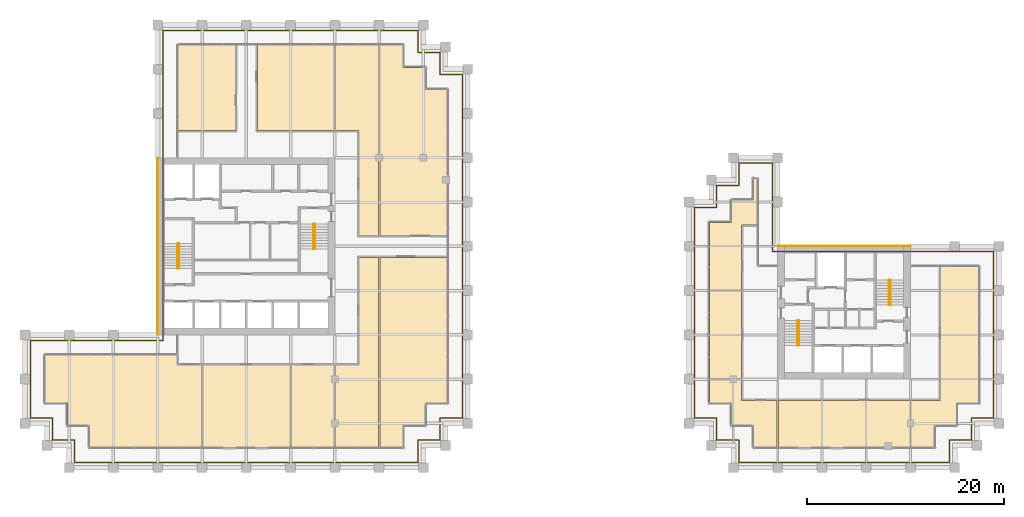
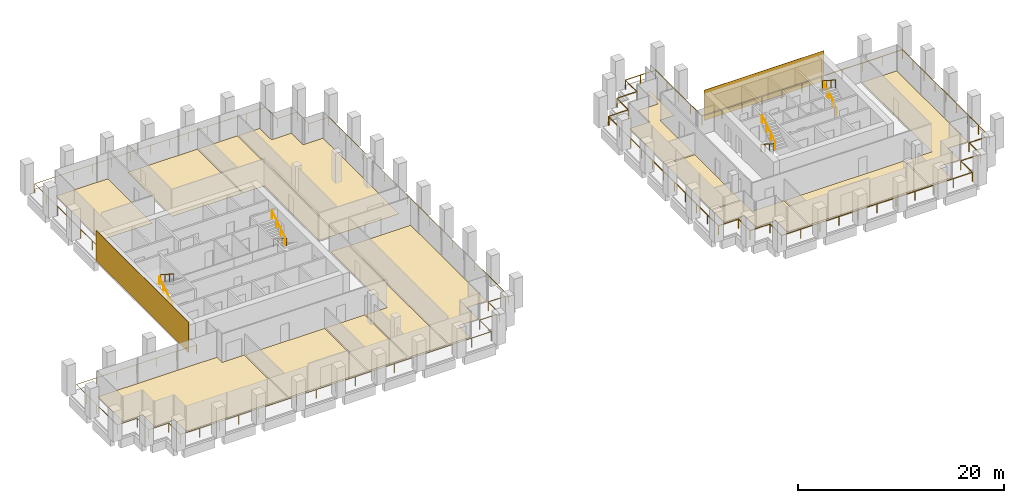
# One storey, part 45 of 45: 16 coverings, 10 railings.
"""IFC4 building model written with IfcOpenShell, lengths in metres."""

from ifc_helpers import new_model, si_unit, direction, frame, origin, origin_2d, place, context, subcontext, project, spatial, polyline, rectangle, circle, outline, extrude, source, transform, mapped, material, layer, layer_set, type_object, element, save


model = new_model("IFC4")

# Units and contexts
model_context = context("Model", 3, precision=1e-05, world=origin(), true_north=direction((0.0, 1.0)))
body_context = subcontext(model_context, "Body", "Model", "MODEL_VIEW")
ifc_project = project(units=[si_unit("LENGTHUNIT", "METRE"), si_unit("AREAUNIT", "SQUARE_METRE"), si_unit("VOLUMEUNIT", "CUBIC_METRE"), si_unit("PLANEANGLEUNIT", "RADIAN"), si_unit("MASSUNIT", "GRAM", prefix="KILO")], contexts=[model_context])

# Site, building, storey
site_placement = place(None, origin())
site = spatial("IfcSite", under=ifc_project, at=site_placement, CompositionType="ELEMENT")
building_placement = place(site_placement, origin())
building = spatial("IfcBuilding", under=site, at=building_placement, Name="Altepetl Exchange Towers", CompositionType="ELEMENT")
storey_placement = place(building_placement, frame((0.0, 0.0, 110.0)))
storey = spatial("IfcBuildingStorey", under=building, at=storey_placement, Name="L27", CompositionType="ELEMENT", Elevation=110.0)

# Coverings
ifc_material_1 = material(Name="Carpet tile")
ifc_layer_1 = layer(ifc_material_1, 0.02001953125)
ifc_layer_set_1 = layer_set([ifc_layer_1], Name="Carpet tile")
covering_type_1 = type_object("IfcCoveringType", Name="Carpet tile floor", PredefinedType="FLOORING", material=ifc_layer_set_1)
covering_1_placement = place(storey_placement, origin())
element("IfcCovering", 1, at=covering_1_placement, inside=storey, type_object=covering_type_1, Name="Training room floor finish A27.01", PredefinedType="FLOORING", context=body_context, shape_type="SweptSolid", body=[
    extrude(outline(polyline([(53.9375, 29.0625), (53.9375, 37.4375), (45.0625, 37.4375), (45.0625, 29.0625), (53.9375, 29.0625)])), origin(), (0.0, 0.0, 1.0), 0.02001953125),
])
covering_2_placement = place(storey_placement, origin())
element("IfcCovering", 2, at=covering_2_placement, inside=storey, type_object=covering_type_1, Name="Open office floor finish A27.03", PredefinedType="FLOORING", context=body_context, shape_type="SweptSolid", body=[
    extrude(outline(polyline([(33.5625, 29.0625), (44.9375, 29.0625), (44.9375, 37.4375), (42.4375, 37.4375), (42.4375, 38.4375), (29.0625, 38.4375), (29.0625, 33.5625), (31.3125, 33.5625), (31.3125, 31.3125), (33.5625, 31.3125), (33.5625, 29.0625)])), origin(), (0.0, 0.0, 1.0), 0.02001953125),
])
covering_3_placement = place(storey_placement, origin())
element("IfcCovering", 3, at=covering_3_placement, inside=storey, type_object=covering_type_1, Name="Research office floor finish A27.05", PredefinedType="FLOORING", context=body_context, shape_type="SweptSolid", body=[
    extrude(outline(polyline([(67.6875, 33.5625), (69.9375, 33.5625), (69.9375, 48.387451171875), (63.0625, 48.387451171875), (63.0625, 29.0625), (65.4375, 29.0625), (65.4375, 31.3125), (67.6875, 31.3125), (67.6875, 33.5625)])), origin(), (0.0, 0.0, 1.0), 0.02001953125),
])
covering_4_placement = place(storey_placement, origin())
element("IfcCovering", 4, at=covering_4_placement, inside=storey, type_object=covering_type_1, Name="Huddle room floor finish A27.07", PredefinedType="FLOORING", context=body_context, shape_type="SweptSolid", body=[
    extrude(outline(polyline([(62.9375, 50.612548828125), (62.9375, 69.9375), (58.5625, 69.9375), (58.5625, 61.262451171875), (60.96240234375, 61.262451171875), (60.96240234375, 50.612548828125), (62.9375, 50.612548828125)])), origin(), (0.0, 0.0, 1.0), 0.02001953125),
])
covering_5_placement = place(storey_placement, origin())
element("IfcCovering", 5, at=covering_5_placement, inside=storey, type_object=covering_type_1, Name="Pantry floor finish A27.08", PredefinedType="FLOORING", context=body_context, shape_type="SweptSolid", body=[
    extrude(outline(polyline([(42.5625, 61.262451171875), (48.387451171875, 61.262451171875), (48.387451171875, 69.9375), (42.5625, 69.9375), (42.5625, 61.262451171875)])), origin(), (0.0, 0.0, 1.0), 0.02001953125),
])
covering_6_placement = place(storey_placement, origin())
element("IfcCovering", 6, at=covering_6_placement, inside=storey, type_object=covering_type_1, Name="Meeting room floor finish A27.09", PredefinedType="FLOORING", context=body_context, shape_type="SweptSolid", body=[
    extrude(outline(polyline([(58.4375, 61.262451171875), (58.4375, 69.9375), (50.612548828125, 69.9375), (50.612548828125, 61.262451171875), (58.4375, 61.262451171875)])), origin(), (0.0, 0.0, 1.0), 0.02001953125),
])
covering_7_placement = place(storey_placement, origin())
element("IfcCovering", 7, at=covering_7_placement, inside=storey, type_object=covering_type_1, Name="Huddle room floor finish B27.01", PredefinedType="FLOORING", context=body_context, shape_type="SweptSolid", body=[
    extrude(outline(polyline([(99.83740234375, 44.9375), (96.5625, 44.9375), (96.5625, 36.0625), (99.83740234375, 36.0625), (99.83740234375, 44.9375)])), origin(), (0.0, 0.0, 1.0), 0.02001953125),
])
covering_8_placement = place(storey_placement, origin())
element("IfcCovering", 8, at=covering_8_placement, inside=storey, type_object=covering_type_1, Name="Research office floor finish B27.04", PredefinedType="FLOORING", context=body_context, shape_type="SweptSolid", body=[
    extrude(outline(polyline([(117.0625, 33.83740234375), (117.0625, 29.0625), (119.4375, 29.0625), (119.4375, 31.3125), (121.6875, 31.3125), (121.6875, 33.5625), (123.9375, 33.5625), (123.9375, 47.4375), (120.0625, 47.4375), (120.0625, 33.83740234375), (117.0625, 33.83740234375)])), origin(), (0.0, 0.0, 1.0), 0.02001953125),
])
covering_9_placement = place(storey_placement, origin())
element("IfcCovering", 9, at=covering_9_placement, inside=storey, type_object=covering_type_1, Name="Interview room floor finish B27.05", PredefinedType="FLOORING", context=body_context, shape_type="SweptSolid", body=[
    extrude(outline(polyline([(101.0625, 54.1875), (98.8125, 54.1875), (98.8125, 51.9375), (96.5625, 51.9375), (96.5625, 45.0625), (99.83740234375, 45.0625), (99.83740234375, 51.66259765625), (101.4375, 51.66259765625), (101.4375, 56.4375), (101.0625, 56.4375), (101.0625, 54.1875)])), origin(), (0.0, 0.0, 1.0), 0.02001953125),
])
ifc_material_2 = material(Name="Cantera stone", Category="masonry")
ifc_layer_2 = layer(ifc_material_2, 0.030029296875)
ifc_layer_set_2 = layer_set([ifc_layer_2], Name="Cantera stone")
covering_type_2 = type_object("IfcCoveringType", Name="Polished stone floor", PredefinedType="FLOORING", material=ifc_layer_set_2)
covering_10_placement = place(storey_placement, origin())
element("IfcCovering", 10, at=covering_10_placement, inside=storey, type_object=covering_type_2, Name="Cafe floor finish A27.06", PredefinedType="FLOORING", context=body_context, shape_type="SweptSolid", body=[
    extrude(outline(polyline([(67.6875, 67.6875), (65.4375, 67.6875), (65.4375, 69.9375), (63.0625, 69.9375), (63.0625, 50.612548828125), (69.9375, 50.612548828125), (69.9375, 65.4375), (67.6875, 65.4375), (67.6875, 67.6875)])), origin(), (0.0, 0.0, 1.0), 0.030029296875),
])
covering_11_placement = place(storey_placement, origin())
element("IfcCovering", 11, at=covering_11_placement, inside=storey, type_object=covering_type_2, Name="Library floor finish B27.03", PredefinedType="FLOORING", context=body_context, shape_type="SweptSolid", body=[
    extrude(outline(polyline([(103.5625, 33.83740234375), (103.5625, 29.0625), (116.9375, 29.0625), (116.9375, 33.83740234375), (103.5625, 33.83740234375)])), origin(), (0.0, 0.0, 1.0), 0.030029296875),
])
ifc_material_3 = material(Name="Calcium sulphate access floor panel")
ifc_layer_3 = layer(ifc_material_3, 0.0400390625)
ifc_layer_set_3 = layer_set([ifc_layer_3], Name="Calcium sulphate access floor panel")
covering_type_3 = type_object("IfcCoveringType", Name="Raised access floor panels", PredefinedType="FLOORING", material=ifc_layer_set_3)
covering_12_placement = place(storey_placement, origin())
element("IfcCovering", 12, at=covering_12_placement, inside=storey, type_object=covering_type_3, Name="Data room floor finish A27.02", PredefinedType="FLOORING", context=body_context, shape_type="SweptSolid", body=[
    extrude(outline(polyline([(58.4375, 29.0625), (58.4375, 37.4375), (54.0625, 37.4375), (54.0625, 29.0625), (58.4375, 29.0625)])), origin(), (0.0, 0.0, 1.0), 0.0400390625),
])
covering_13_placement = place(storey_placement, origin())
element("IfcCovering", 13, at=covering_13_placement, inside=storey, type_object=covering_type_3, Name="Data room floor finish A27.04", PredefinedType="FLOORING", context=body_context, shape_type="SweptSolid", body=[
    extrude(outline(polyline([(62.9375, 29.0625), (62.9375, 48.387451171875), (60.96240234375, 48.387451171875), (60.96240234375, 37.4375), (58.5625, 37.4375), (58.5625, 29.0625), (62.9375, 29.0625)])), origin(), (0.0, 0.0, 1.0), 0.0400390625),
])
covering_14_placement = place(storey_placement, origin())
element("IfcCovering", 14, at=covering_14_placement, inside=storey, type_object=covering_type_3, Name="Data room floor finish B27.02", PredefinedType="FLOORING", context=body_context, shape_type="SweptSolid", body=[
    extrude(outline(polyline([(99.83740234375, 35.9375), (96.5625, 35.9375), (96.5625, 33.5625), (98.8125, 33.5625), (98.8125, 31.3125), (101.0625, 31.3125), (101.0625, 29.0625), (103.4375, 29.0625), (103.4375, 33.83740234375), (99.83740234375, 33.83740234375), (99.83740234375, 35.9375)])), origin(), (0.0, 0.0, 1.0), 0.0400390625),
])
ifc_material_4 = material(Name="Cantera limestone cladding", Category="masonry")
ifc_layer_4 = layer(ifc_material_4, 0.0400390625)
ifc_layer_set_4 = layer_set([ifc_layer_4], Name="Cantera limestone cladding")
covering_type_4 = type_object("IfcCoveringType", Name="Stone panel 40 cantera", PredefinedType="CLADDING", material=ifc_layer_set_4)
covering_15_placement = place(storey_placement, frame((40.47998046875, 49.5, 0.0), z_axis=(0.0, 0.0, 1.0), x_axis=(0.0, -1.0, 0.0)))
element("IfcCovering", 15, at=covering_15_placement, inside=storey, type_object=covering_type_4, Name="Stone cladding panel", PredefinedType="CLADDING", context=body_context, shape_type="SweptSolid", body=[
    extrude(rectangle(XDim=18.0, YDim=0.0400390625, at=origin_2d()), origin(), (0.0, 0.0, 1.0), 3.60009765625),
])
covering_16_placement = place(storey_placement, frame((110.25, 49.52001953125, 0.0), z_axis=(0.0, 0.0, 1.0), x_axis=(-1.0, 0.0, 0.0)))
element("IfcCovering", 16, at=covering_16_placement, inside=storey, type_object=covering_type_4, Name="Stone cladding panel", PredefinedType="CLADDING", context=body_context, shape_type="SweptSolid", body=[
    extrude(rectangle(XDim=13.5, YDim=0.0400390625, at=origin_2d()), origin(), (0.0, 0.0, 1.0), 3.60009765625),
])

# Railings
ifc_material_5 = material(Name="Steel S355", Category="steel")
railing_type_1 = type_object("IfcRailingType", Name="Guard 1100 steel posts and rail", PredefinedType="GUARDRAIL", material=ifc_material_5)
shared_shape_1 = source(origin(), body_context, "Body", "SweptSolid", [
    extrude(circle(Radius=0.02099609375, at=origin_2d()), origin(), (0.0, 0.0, 1.0), 1.052001953125),
])
railing_1_placement = place(storey_placement, frame((41.050048828125, 39.949951171875, 0.0)))
element("IfcRailing", 17, at=railing_1_placement, inside=storey, type_object=railing_type_1, Name="Loggia guard", PredefinedType="GUARDRAIL", context=body_context, shape_type="SweptSolid", body=[
    extrude(circle(Radius=0.02392578125, at=origin_2d()), frame((0.0, 0.0, 1.076171875), z_axis=(-1.0, 0.0, 0.0), x_axis=(0.0, -1.0, 0.0)), (0.0, 0.0, 1.0), 13.5),
    extrude(circle(Radius=0.02392578125, at=origin_2d()), frame((-13.5, 0.0, 1.076171875), z_axis=(0.0, -1.0, 0.0), x_axis=(1.0, 0.0, 0.0)), (0.0, 0.0, 1.0), 7.89990234375),
    extrude(circle(Radius=0.02392578125, at=origin_2d()), frame((-13.5, -7.89990234375, 1.076171875), z_axis=(1.0, 0.0, 0.0), x_axis=(0.0, 1.0, 0.0)), (0.0, 0.0, 1.0), 2.25),
    extrude(circle(Radius=0.02392578125, at=origin_2d()), frame((-11.25, -7.89990234375, 1.076171875), z_axis=(0.0, -1.0, 0.0), x_axis=(1.0, 0.0, 0.0)), (0.0, 0.0, 1.0), 2.25),
    extrude(circle(Radius=0.02392578125, at=origin_2d()), frame((-11.25, -10.14990234375, 1.076171875), z_axis=(1.0, 0.0, 0.0), x_axis=(0.0, 1.0, 0.0)), (0.0, 0.0, 1.0), 2.25),
    extrude(circle(Radius=0.02392578125, at=origin_2d()), frame((-9.0, -10.14990234375, 1.076171875), z_axis=(0.0, -1.0, 0.0), x_axis=(1.0, 0.0, 0.0)), (0.0, 0.0, 1.0), 2.25),
    extrude(circle(Radius=0.02392578125, at=origin_2d()), frame((-9.0, -12.39990234375, 1.076171875), z_axis=(1.0, 0.0, 0.0), x_axis=(0.0, 1.0, 0.0)), (0.0, 0.0, 1.0), 34.89990234375),
    extrude(circle(Radius=0.02392578125, at=origin_2d()), frame((25.89990234375, -12.39990234375, 1.076171875), z_axis=(0.0, 1.0, 0.0), x_axis=(-1.0, 0.0, 0.0)), (0.0, 0.0, 1.0), 2.25),
    extrude(circle(Radius=0.02392578125, at=origin_2d()), frame((25.89990234375, -10.14990234375, 1.076171875), z_axis=(1.0, 0.0, 0.0), x_axis=(0.0, 1.0, 0.0)), (0.0, 0.0, 1.0), 2.25),
    extrude(circle(Radius=0.02392578125, at=origin_2d()), frame((28.14990234375, -10.14990234375, 1.076171875), z_axis=(0.0, 1.0, 0.0), x_axis=(-1.0, 0.0, 0.0)), (0.0, 0.0, 1.0), 2.25),
    extrude(circle(Radius=0.02392578125, at=origin_2d()), frame((28.14990234375, -7.89990234375, 1.076171875), z_axis=(1.0, 0.0, 0.0), x_axis=(0.0, 1.0, 0.0)), (0.0, 0.0, 1.0), 2.25),
    extrude(circle(Radius=0.02392578125, at=origin_2d()), frame((30.39990234375, -7.89990234375, 1.076171875), z_axis=(0.0, 1.0, 0.0), x_axis=(-1.0, 0.0, 0.0)), (0.0, 0.0, 1.0), 34.89990234375),
    extrude(circle(Radius=0.02392578125, at=origin_2d()), frame((30.39990234375, 27.0, 1.076171875), z_axis=(-1.0, 0.0, 0.0), x_axis=(0.0, -1.0, 0.0)), (0.0, 0.0, 1.0), 2.25),
    extrude(circle(Radius=0.02392578125, at=origin_2d()), frame((28.14990234375, 27.0, 1.076171875), z_axis=(0.0, 1.0, 0.0), x_axis=(-1.0, 0.0, 0.0)), (0.0, 0.0, 1.0), 2.25),
    extrude(circle(Radius=0.02392578125, at=origin_2d()), frame((28.14990234375, 29.25, 1.076171875), z_axis=(-1.0, 0.0, 0.0), x_axis=(0.0, -1.0, 0.0)), (0.0, 0.0, 1.0), 2.25),
    extrude(circle(Radius=0.02392578125, at=origin_2d()), frame((25.89990234375, 29.25, 1.076171875), z_axis=(0.0, 1.0, 0.0), x_axis=(-1.0, 0.0, 0.0)), (0.0, 0.0, 1.0), 2.25),
    extrude(circle(Radius=0.02392578125, at=origin_2d()), frame((25.89990234375, 31.5, 1.076171875), z_axis=(-1.0, 0.0, 0.0), x_axis=(0.0, -1.0, 0.0)), (0.0, 0.0, 1.0), 25.89990234375),
    extrude(circle(Radius=0.02392578125, at=origin_2d()), frame((0.0, 31.5, 1.076171875), z_axis=(0.0, -1.0, 0.0), x_axis=(1.0, 0.0, 0.0)), (0.0, 0.0, 1.0), 31.39990234375),
    mapped(shared_shape_1, transform((0.0, 0.0, 0.0))),
    mapped(shared_shape_1, transform((-2.25, 0.0, 0.0))),
    mapped(shared_shape_1, transform((-4.5, 0.0, 0.0))),
    mapped(shared_shape_1, transform((-6.75, 0.0, 0.0))),
    mapped(shared_shape_1, transform((-9.0, 0.0, 0.0))),
    mapped(shared_shape_1, transform((-11.25, 0.0, 0.0))),
    mapped(shared_shape_1, transform((-13.5, 0.0, 0.0))),
    mapped(shared_shape_1, transform((-13.5, -1.97509765625, 0.0))),
    mapped(shared_shape_1, transform((-13.5, -3.949951171875, 0.0))),
    mapped(shared_shape_1, transform((-13.5, -5.9248046875, 0.0))),
    mapped(shared_shape_1, transform((-13.5, -7.89990234375, 0.0))),
    mapped(shared_shape_1, transform((-11.25, -7.89990234375, 0.0))),
    mapped(shared_shape_1, transform((-11.25, -10.14990234375, 0.0))),
    mapped(shared_shape_1, transform((-9.0, -10.14990234375, 0.0))),
    mapped(shared_shape_1, transform((-9.0, -12.39990234375, 0.0))),
    mapped(shared_shape_1, transform((-6.81884765625, -12.39990234375, 0.0))),
    mapped(shared_shape_1, transform((-4.637451171875, -12.39990234375, 0.0))),
    mapped(shared_shape_1, transform((-2.456298828125, -12.39990234375, 0.0))),
    mapped(shared_shape_1, transform((-0.27490234375, -12.39990234375, 0.0))),
    mapped(shared_shape_1, transform((1.90625, -12.39990234375, 0.0))),
    mapped(shared_shape_1, transform((4.08740234375, -12.39990234375, 0.0))),
    mapped(shared_shape_1, transform((6.268798828125, -12.39990234375, 0.0))),
    mapped(shared_shape_1, transform((8.449951171875, -12.39990234375, 0.0))),
    mapped(shared_shape_1, transform((10.631103515625, -12.39990234375, 0.0))),
    mapped(shared_shape_1, transform((12.8125, -12.39990234375, 0.0))),
    mapped(shared_shape_1, transform((14.99365234375, -12.39990234375, 0.0))),
    mapped(shared_shape_1, transform((17.1748046875, -12.39990234375, 0.0))),
    mapped(shared_shape_1, transform((19.356201171875, -12.39990234375, 0.0))),
    mapped(shared_shape_1, transform((21.537353515625, -12.39990234375, 0.0))),
    mapped(shared_shape_1, transform((23.71875, -12.39990234375, 0.0))),
    mapped(shared_shape_1, transform((25.89990234375, -12.39990234375, 0.0))),
    mapped(shared_shape_1, transform((25.89990234375, -10.14990234375, 0.0))),
    mapped(shared_shape_1, transform((28.14990234375, -10.14990234375, 0.0))),
    mapped(shared_shape_1, transform((28.14990234375, -7.89990234375, 0.0))),
    mapped(shared_shape_1, transform((30.39990234375, -7.89990234375, 0.0))),
    mapped(shared_shape_1, transform((30.39990234375, -5.71875, 0.0))),
    mapped(shared_shape_1, transform((30.39990234375, -3.537353515625, 0.0))),
    mapped(shared_shape_1, transform((30.39990234375, -1.356201171875, 0.0))),
    mapped(shared_shape_1, transform((30.39990234375, 0.8251953125, 0.0))),
    mapped(shared_shape_1, transform((30.39990234375, 3.00634765625, 0.0))),
    mapped(shared_shape_1, transform((30.39990234375, 5.1875, 0.0))),
    mapped(shared_shape_1, transform((30.39990234375, 7.368896484375, 0.0))),
    mapped(shared_shape_1, transform((30.39990234375, 9.550048828125, 0.0))),
    mapped(shared_shape_1, transform((30.39990234375, 11.731201171875, 0.0))),
    mapped(shared_shape_1, transform((30.39990234375, 13.91259765625, 0.0))),
    mapped(shared_shape_1, transform((30.39990234375, 16.09375, 0.0))),
    mapped(shared_shape_1, transform((30.39990234375, 18.27490234375, 0.0))),
    mapped(shared_shape_1, transform((30.39990234375, 20.456298828125, 0.0))),
    mapped(shared_shape_1, transform((30.39990234375, 22.637451171875, 0.0))),
    mapped(shared_shape_1, transform((30.39990234375, 24.81884765625, 0.0))),
    mapped(shared_shape_1, transform((30.39990234375, 27.0, 0.0))),
    mapped(shared_shape_1, transform((28.14990234375, 27.0, 0.0))),
    mapped(shared_shape_1, transform((28.14990234375, 29.25, 0.0))),
    mapped(shared_shape_1, transform((25.89990234375, 29.25, 0.0))),
    mapped(shared_shape_1, transform((25.89990234375, 31.5, 0.0))),
    mapped(shared_shape_1, transform((23.74169921875, 31.5, 0.0))),
    mapped(shared_shape_1, transform((21.583251953125, 31.5, 0.0))),
    mapped(shared_shape_1, transform((19.4248046875, 31.5, 0.0))),
    mapped(shared_shape_1, transform((17.2666015625, 31.5, 0.0))),
    mapped(shared_shape_1, transform((15.1083984375, 31.5, 0.0))),
    mapped(shared_shape_1, transform((12.949951171875, 31.5, 0.0))),
    mapped(shared_shape_1, transform((10.79150390625, 31.5, 0.0))),
    mapped(shared_shape_1, transform((8.63330078125, 31.5, 0.0))),
    mapped(shared_shape_1, transform((6.47509765625, 31.5, 0.0))),
    mapped(shared_shape_1, transform((4.316650390625, 31.5, 0.0))),
    mapped(shared_shape_1, transform((2.158203125, 31.5, 0.0))),
    mapped(shared_shape_1, transform((0.0, 31.5, 0.0))),
    mapped(shared_shape_1, transform((0.0, 29.257080078125, 0.0))),
    mapped(shared_shape_1, transform((0.0, 27.014404296875, 0.0))),
    mapped(shared_shape_1, transform((0.0, 24.771484375, 0.0))),
    mapped(shared_shape_1, transform((0.0, 22.528564453125, 0.0))),
    mapped(shared_shape_1, transform((0.0, 20.28564453125, 0.0))),
    mapped(shared_shape_1, transform((0.0, 18.04296875, 0.0))),
    mapped(shared_shape_1, transform((0.0, 15.800048828125, 0.0))),
    mapped(shared_shape_1, transform((0.0, 13.55712890625, 0.0))),
    mapped(shared_shape_1, transform((0.0, 11.314453125, 0.0))),
    mapped(shared_shape_1, transform((0.0, 9.071533203125, 0.0))),
    mapped(shared_shape_1, transform((0.0, 6.82861328125, 0.0))),
    mapped(shared_shape_1, transform((0.0, 4.585693359375, 0.0))),
    mapped(shared_shape_1, transform((0.0, 2.343017578125, 0.0))),
    mapped(shared_shape_1, transform((0.0, 0.10009765625, 0.0))),
])
railing_2_placement = place(storey_placement, frame((95.050048828125, 53.449951171875, 0.0)))
element("IfcRailing", 18, at=railing_2_placement, inside=storey, type_object=railing_type_1, Name="Loggia guard", PredefinedType="GUARDRAIL", context=body_context, shape_type="SweptSolid", body=[
    extrude(circle(Radius=0.02392578125, at=origin_2d()), frame((0.0, 0.0, 1.076171875), z_axis=(0.0, -1.0, 0.0), x_axis=(1.0, 0.0, 0.0)), (0.0, 0.0, 1.0), 21.39990234375),
    extrude(circle(Radius=0.02392578125, at=origin_2d()), frame((0.0, -21.39990234375, 1.076171875), z_axis=(1.0, 0.0, 0.0), x_axis=(0.0, 1.0, 0.0)), (0.0, 0.0, 1.0), 2.25),
    extrude(circle(Radius=0.02392578125, at=origin_2d()), frame((2.25, -21.39990234375, 1.076171875), z_axis=(0.0, -1.0, 0.0), x_axis=(1.0, 0.0, 0.0)), (0.0, 0.0, 1.0), 2.25),
    extrude(circle(Radius=0.02392578125, at=origin_2d()), frame((2.25, -23.64990234375, 1.076171875), z_axis=(1.0, 0.0, 0.0), x_axis=(0.0, 1.0, 0.0)), (0.0, 0.0, 1.0), 2.25),
    extrude(circle(Radius=0.02392578125, at=origin_2d()), frame((4.5, -23.64990234375, 1.076171875), z_axis=(0.0, -1.0, 0.0), x_axis=(1.0, 0.0, 0.0)), (0.0, 0.0, 1.0), 2.25),
    extrude(circle(Radius=0.02392578125, at=origin_2d()), frame((4.5, -25.89990234375, 1.076171875), z_axis=(1.0, 0.0, 0.0), x_axis=(0.0, 1.0, 0.0)), (0.0, 0.0, 1.0), 21.39990234375),
    extrude(circle(Radius=0.02392578125, at=origin_2d()), frame((25.89990234375, -25.89990234375, 1.076171875), z_axis=(0.0, 1.0, 0.0), x_axis=(-1.0, 0.0, 0.0)), (0.0, 0.0, 1.0), 2.25),
    extrude(circle(Radius=0.02392578125, at=origin_2d()), frame((25.89990234375, -23.64990234375, 1.076171875), z_axis=(1.0, 0.0, 0.0), x_axis=(0.0, 1.0, 0.0)), (0.0, 0.0, 1.0), 2.25),
    extrude(circle(Radius=0.02392578125, at=origin_2d()), frame((28.14990234375, -23.64990234375, 1.076171875), z_axis=(0.0, 1.0, 0.0), x_axis=(-1.0, 0.0, 0.0)), (0.0, 0.0, 1.0), 2.25),
    extrude(circle(Radius=0.02392578125, at=origin_2d()), frame((28.14990234375, -21.39990234375, 1.076171875), z_axis=(1.0, 0.0, 0.0), x_axis=(0.0, 1.0, 0.0)), (0.0, 0.0, 1.0), 2.25),
    extrude(circle(Radius=0.02392578125, at=origin_2d()), frame((30.39990234375, -21.39990234375, 1.076171875), z_axis=(0.0, 1.0, 0.0), x_axis=(-1.0, 0.0, 0.0)), (0.0, 0.0, 1.0), 16.89990234375),
    extrude(circle(Radius=0.02392578125, at=origin_2d()), frame((30.39990234375, -4.5, 1.076171875), z_axis=(-1.0, 0.0, 0.0), x_axis=(0.0, -1.0, 0.0)), (0.0, 0.0, 1.0), 22.5),
    extrude(circle(Radius=0.02392578125, at=origin_2d()), frame((7.89990234375, -4.5, 1.076171875), z_axis=(0.0, 1.0, 0.0), x_axis=(-1.0, 0.0, 0.0)), (0.0, 0.0, 1.0), 9.0),
    extrude(circle(Radius=0.02392578125, at=origin_2d()), frame((7.89990234375, 4.5, 1.076171875), z_axis=(-1.0, 0.0, 0.0), x_axis=(0.0, -1.0, 0.0)), (0.0, 0.0, 1.0), 3.39990234375),
    extrude(circle(Radius=0.02392578125, at=origin_2d()), frame((4.5, 4.5, 1.076171875), z_axis=(0.0, -1.0, 0.0), x_axis=(1.0, 0.0, 0.0)), (0.0, 0.0, 1.0), 2.25),
    extrude(circle(Radius=0.02392578125, at=origin_2d()), frame((4.5, 2.25, 1.076171875), z_axis=(-1.0, 0.0, 0.0), x_axis=(0.0, -1.0, 0.0)), (0.0, 0.0, 1.0), 2.25),
    extrude(circle(Radius=0.02392578125, at=origin_2d()), frame((2.25, 2.25, 1.076171875), z_axis=(0.0, -1.0, 0.0), x_axis=(1.0, 0.0, 0.0)), (0.0, 0.0, 1.0), 2.25),
    extrude(circle(Radius=0.02392578125, at=origin_2d()), frame((2.25, 0.0, 1.076171875), z_axis=(-1.0, 0.0, 0.0), x_axis=(0.0, -1.0, 0.0)), (0.0, 0.0, 1.0), 2.150146484375),
    mapped(shared_shape_1, transform((0.0, 0.0, 0.0))),
    mapped(shared_shape_1, transform((0.0, -2.139892578125, 0.0))),
    mapped(shared_shape_1, transform((0.0, -4.280029296875, 0.0))),
    mapped(shared_shape_1, transform((0.0, -6.419921875, 0.0))),
    mapped(shared_shape_1, transform((0.0, -8.56005859375, 0.0))),
    mapped(shared_shape_1, transform((0.0, -10.699951171875, 0.0))),
    mapped(shared_shape_1, transform((0.0, -12.83984375, 0.0))),
    mapped(shared_shape_1, transform((0.0, -14.97998046875, 0.0))),
    mapped(shared_shape_1, transform((0.0, -17.119873046875, 0.0))),
    mapped(shared_shape_1, transform((0.0, -19.260009765625, 0.0))),
    mapped(shared_shape_1, transform((0.0, -21.39990234375, 0.0))),
    mapped(shared_shape_1, transform((2.25, -21.39990234375, 0.0))),
    mapped(shared_shape_1, transform((2.25, -23.64990234375, 0.0))),
    mapped(shared_shape_1, transform((4.5, -23.64990234375, 0.0))),
    mapped(shared_shape_1, transform((4.5, -25.89990234375, 0.0))),
    mapped(shared_shape_1, transform((6.639892578125, -25.89990234375, 0.0))),
    mapped(shared_shape_1, transform((8.780029296875, -25.89990234375, 0.0))),
    mapped(shared_shape_1, transform((10.919921875, -25.89990234375, 0.0))),
    mapped(shared_shape_1, transform((13.06005859375, -25.89990234375, 0.0))),
    mapped(shared_shape_1, transform((15.199951171875, -25.89990234375, 0.0))),
    mapped(shared_shape_1, transform((17.33984375, -25.89990234375, 0.0))),
    mapped(shared_shape_1, transform((19.47998046875, -25.89990234375, 0.0))),
    mapped(shared_shape_1, transform((21.619873046875, -25.89990234375, 0.0))),
    mapped(shared_shape_1, transform((23.760009765625, -25.89990234375, 0.0))),
    mapped(shared_shape_1, transform((25.89990234375, -25.89990234375, 0.0))),
    mapped(shared_shape_1, transform((25.89990234375, -23.64990234375, 0.0))),
    mapped(shared_shape_1, transform((28.14990234375, -23.64990234375, 0.0))),
    mapped(shared_shape_1, transform((28.14990234375, -21.39990234375, 0.0))),
    mapped(shared_shape_1, transform((30.39990234375, -21.39990234375, 0.0))),
    mapped(shared_shape_1, transform((30.39990234375, -19.287353515625, 0.0))),
    mapped(shared_shape_1, transform((30.39990234375, -17.1748046875, 0.0))),
    mapped(shared_shape_1, transform((30.39990234375, -15.0625, 0.0))),
    mapped(shared_shape_1, transform((30.39990234375, -12.949951171875, 0.0))),
    mapped(shared_shape_1, transform((30.39990234375, -10.83740234375, 0.0))),
    mapped(shared_shape_1, transform((30.39990234375, -8.72509765625, 0.0))),
    mapped(shared_shape_1, transform((30.39990234375, -6.612548828125, 0.0))),
    mapped(shared_shape_1, transform((30.39990234375, -4.5, 0.0))),
    mapped(shared_shape_1, transform((28.14990234375, -4.5, 0.0))),
    mapped(shared_shape_1, transform((25.89990234375, -4.5, 0.0))),
    mapped(shared_shape_1, transform((23.64990234375, -4.5, 0.0))),
    mapped(shared_shape_1, transform((21.39990234375, -4.5, 0.0))),
    mapped(shared_shape_1, transform((19.14990234375, -4.5, 0.0))),
    mapped(shared_shape_1, transform((16.89990234375, -4.5, 0.0))),
    mapped(shared_shape_1, transform((14.64990234375, -4.5, 0.0))),
    mapped(shared_shape_1, transform((12.39990234375, -4.5, 0.0))),
    mapped(shared_shape_1, transform((10.14990234375, -4.5, 0.0))),
    mapped(shared_shape_1, transform((7.89990234375, -4.5, 0.0))),
    mapped(shared_shape_1, transform((7.89990234375, -2.25, 0.0))),
    mapped(shared_shape_1, transform((7.89990234375, 0.0, 0.0))),
    mapped(shared_shape_1, transform((7.89990234375, 2.25, 0.0))),
    mapped(shared_shape_1, transform((7.89990234375, 4.5, 0.0))),
    mapped(shared_shape_1, transform((6.199951171875, 4.5, 0.0))),
    mapped(shared_shape_1, transform((4.5, 4.5, 0.0))),
    mapped(shared_shape_1, transform((4.5, 2.25, 0.0))),
    mapped(shared_shape_1, transform((2.25, 2.25, 0.0))),
    mapped(shared_shape_1, transform((2.25, 0.0, 0.0))),
    mapped(shared_shape_1, transform((0.099853515625, 0.0, 0.0))),
])
ifc_material_6 = material(Name="Steel", Category="steel")
railing_type_2 = type_object("IfcRailingType", Name="Stair handrail 50 steel tube", PredefinedType="HANDRAIL", material=ifc_material_6)
shared_shape_2 = source(origin(), body_context, "Body", "SweptSolid", [
    extrude(circle(Radius=0.02099609375, at=origin_2d()), origin(), (0.0, 0.0, 1.0), 0.851806640625),
])
railing_3_placement = place(storey_placement, frame((42.52001953125, 47.25, 0.179931640625)))
element("IfcRailing", 19, at=railing_3_placement, inside=storey, type_object=railing_type_2, Name="Stair handrail", PredefinedType="HANDRAIL", context=body_context, shape_type="SweptSolid", body=[
    extrude(circle(Radius=0.02392578125, at=origin_2d()), frame((0.0, 0.0, 0.8759765625), z_axis=(0.0, 0.841162588446, 0.540782303519), x_axis=(-1.0, 0.0, 0.0)), (0.0, 0.0, 1.0), 2.995849609375),
    mapped(shared_shape_2, transform((0.0, 0.0, 0.0))),
    mapped(shared_shape_2, transform((0.0, 0.840087890625, 0.5400390625))),
    mapped(shared_shape_2, transform((0.0, 1.679931640625, 1.080078125))),
    mapped(shared_shape_2, transform((0.0, 2.52001953125, 1.6201171875))),
])
for number, where, name in (
    (20, (42.679931640625, 49.77001953125, 1.97998046875), "Stair handrail"),
    (21, (56.47998046875, 51.75, 0.179931640625), "Stair handrail"),
):
    element("IfcRailing", number, at=place(storey_placement, frame(where)), inside=storey, type_object=railing_type_2, Name=name, PredefinedType="HANDRAIL", context=body_context, shape_type="SweptSolid", body=[
        extrude(circle(Radius=0.02392578125, at=origin_2d()), frame((0.0, 0.0, 0.8759765625), z_axis=(0.0, -0.841162588446, 0.540782303519), x_axis=(1.0, 0.0, 0.0)), (0.0, 0.0, 1.0), 2.995849609375),
        mapped(shared_shape_2, transform((0.0, 0.0, 0.0))),
        mapped(shared_shape_2, transform((0.0, -0.840087890625, 0.5400390625))),
        mapped(shared_shape_2, transform((0.0, -1.679931640625, 1.080078125))),
        mapped(shared_shape_2, transform((0.0, -2.52001953125, 1.6201171875))),
    ])
railing_4_placement = place(storey_placement, frame((56.320068359375, 49.22998046875, 1.97998046875)))
element("IfcRailing", 22, at=railing_4_placement, inside=storey, type_object=railing_type_2, Name="Stair handrail", PredefinedType="HANDRAIL", context=body_context, shape_type="SweptSolid", body=[
    extrude(circle(Radius=0.02392578125, at=origin_2d()), frame((0.0, 0.0, 0.8759765625), z_axis=(0.0, 0.841162588446, 0.540782303519), x_axis=(-1.0, 0.0, 0.0)), (0.0, 0.0, 1.0), 2.995849609375),
    mapped(shared_shape_2, transform((0.0, 0.0, 0.0))),
    mapped(shared_shape_2, transform((0.0, 0.840087890625, 0.5400390625))),
    mapped(shared_shape_2, transform((0.0, 1.679931640625, 1.080078125))),
    mapped(shared_shape_2, transform((0.0, 2.52001953125, 1.6201171875))),
])
railing_5_placement = place(storey_placement, frame((105.52001953125, 41.949951171875, 0.179931640625)))
element("IfcRailing", 23, at=railing_5_placement, inside=storey, type_object=railing_type_2, Name="Stair handrail", PredefinedType="HANDRAIL", context=body_context, shape_type="SweptSolid", body=[
    extrude(circle(Radius=0.02392578125, at=origin_2d()), frame((0.0, 0.0, 0.8759765625), z_axis=(0.0, -0.841162588446, 0.540782303519), x_axis=(1.0, 0.0, 0.0)), (0.0, 0.0, 1.0), 2.995849609375),
    mapped(shared_shape_2, transform((0.0, 0.0, 0.0))),
    mapped(shared_shape_2, transform((0.0, -0.840087890625, 0.5400390625))),
    mapped(shared_shape_2, transform((0.0, -1.679931640625, 1.080078125))),
    mapped(shared_shape_2, transform((0.0, -2.52001953125, 1.6201171875))),
])
for number, where, name in (
    (24, (105.679931640625, 39.429931640625, 1.97998046875), "Stair handrail"),
    (25, (114.97998046875, 43.550048828125, 0.179931640625), "Stair handrail"),
):
    element("IfcRailing", number, at=place(storey_placement, frame(where)), inside=storey, type_object=railing_type_2, Name=name, PredefinedType="HANDRAIL", context=body_context, shape_type="SweptSolid", body=[
        extrude(circle(Radius=0.02392578125, at=origin_2d()), frame((0.0, 0.0, 0.8759765625), z_axis=(0.0, 0.841162588446, 0.540782303519), x_axis=(-1.0, 0.0, 0.0)), (0.0, 0.0, 1.0), 2.995849609375),
        mapped(shared_shape_2, transform((0.0, 0.0, 0.0))),
        mapped(shared_shape_2, transform((0.0, 0.840087890625, 0.5400390625))),
        mapped(shared_shape_2, transform((0.0, 1.679931640625, 1.080078125))),
        mapped(shared_shape_2, transform((0.0, 2.52001953125, 1.6201171875))),
    ])
railing_6_placement = place(storey_placement, frame((114.820068359375, 46.070068359375, 1.97998046875)))
element("IfcRailing", 26, at=railing_6_placement, inside=storey, type_object=railing_type_2, Name="Stair handrail", PredefinedType="HANDRAIL", context=body_context, shape_type="SweptSolid", body=[
    extrude(circle(Radius=0.02392578125, at=origin_2d()), frame((0.0, 0.0, 0.8759765625), z_axis=(0.0, -0.841162588446, 0.540782303519), x_axis=(1.0, 0.0, 0.0)), (0.0, 0.0, 1.0), 2.995849609375),
    mapped(shared_shape_2, transform((0.0, 0.0, 0.0))),
    mapped(shared_shape_2, transform((0.0, -0.840087890625, 0.5400390625))),
    mapped(shared_shape_2, transform((0.0, -1.679931640625, 1.080078125))),
    mapped(shared_shape_2, transform((0.0, -2.52001953125, 1.6201171875))),
])

save(model, "model.ifc")
